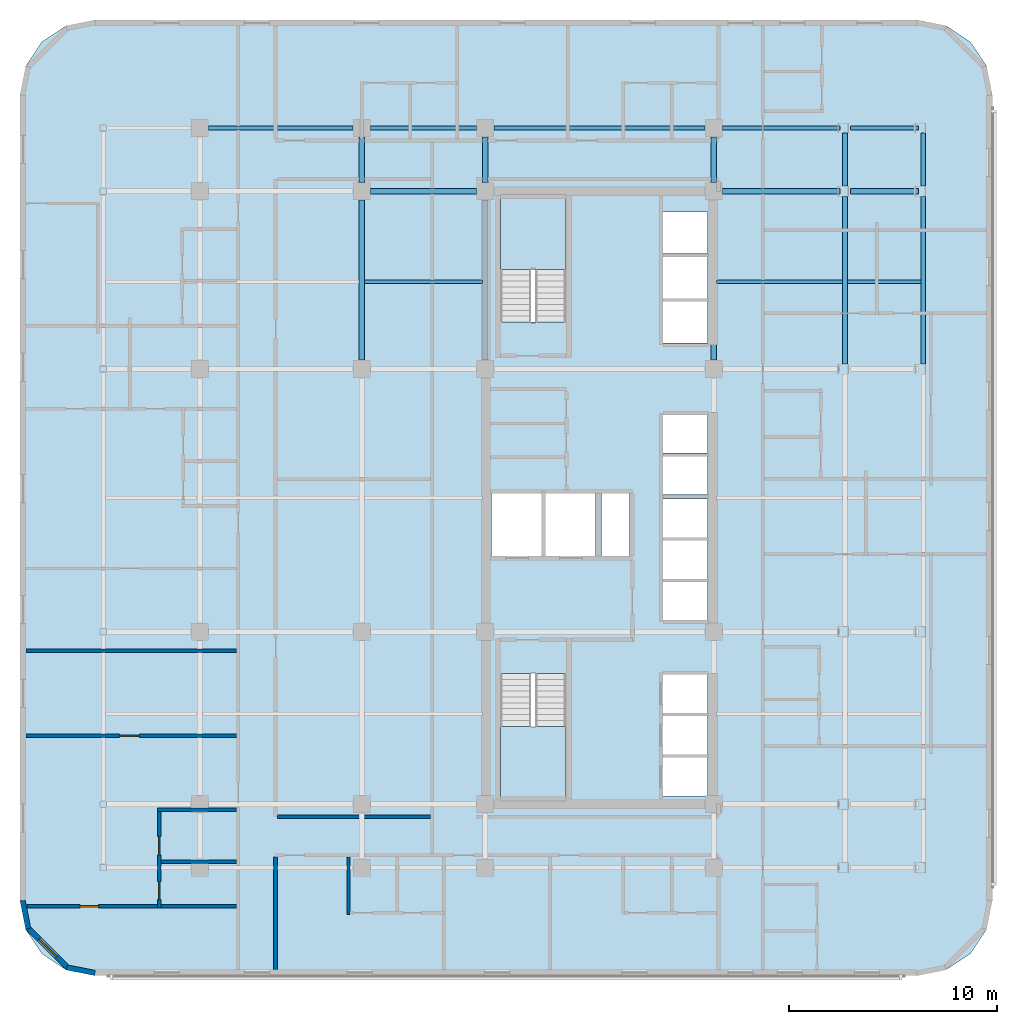
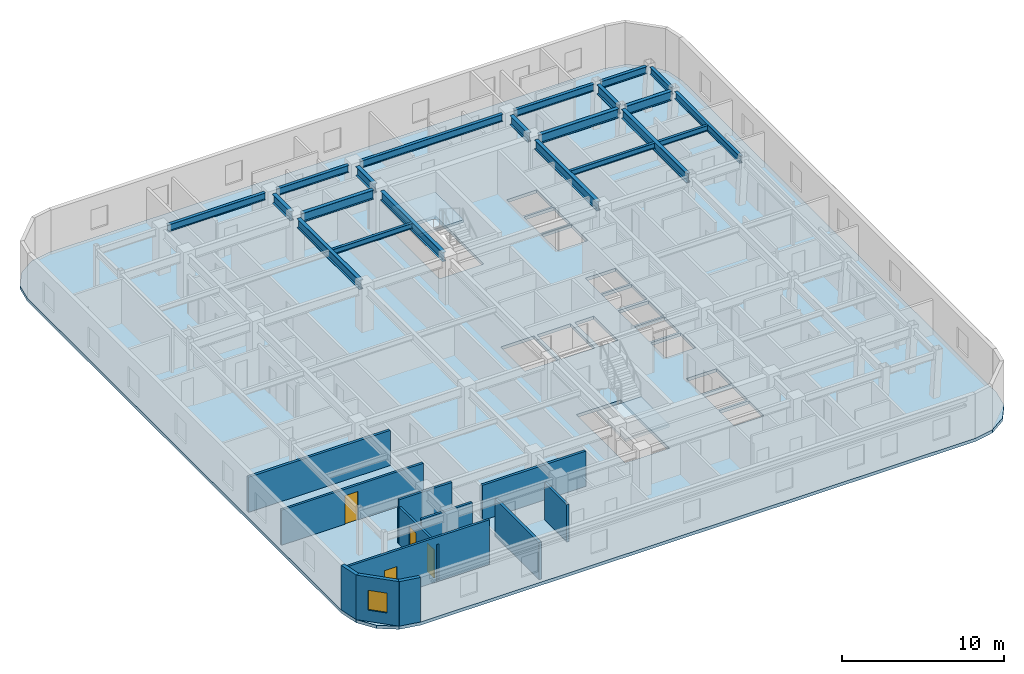
# One storey, part 5 of 14: 21 beams, 12 walls, 4 doors, 3 slabs, 1 window, 5 openings, 2 elements without a shape of their own.
"""IFC4 building model written with IfcOpenShell, lengths in metres."""

from ifc_helpers import new_model, si_unit, direction, frame, frame_2d, origin, origin_2d, place, context, subcontext, project, spatial, polyline, rectangle, i_section, outline, extrude, material, layer, layer_set, material_profile, profile_set, type_object, element, fill, aggregate, save


model = new_model("IFC4")

# Units and contexts
model_context = context("Model", 3, precision=1e-05, world=origin(), true_north=direction((0.0, 1.0)))
body_context = subcontext(model_context, "Body", "Model", "MODEL_VIEW")
ifc_project = project(units=[si_unit("LENGTHUNIT", "METRE"), si_unit("AREAUNIT", "SQUARE_METRE"), si_unit("VOLUMEUNIT", "CUBIC_METRE"), si_unit("PLANEANGLEUNIT", "RADIAN"), si_unit("MASSUNIT", "GRAM", prefix="KILO")], contexts=[model_context])

# Site, building, storey
site_placement = place(None, origin())
site = spatial("IfcSite", under=ifc_project, at=site_placement, CompositionType="ELEMENT")
building_placement = place(site_placement, origin())
building = spatial("IfcBuilding", under=site, at=building_placement, Name="Ochreholt Gables", CompositionType="ELEMENT")
storey_placement = place(building_placement, frame((0.0, 0.0, 42.0)))
storey = spatial("IfcBuildingStorey", under=building, at=storey_placement, Name="L10", CompositionType="ELEMENT", Elevation=42.0)

# Beams
ifc_material_1 = material(Name="Steel CSA G40.21 350W", Category="steel")
ifc_material_profile_1 = material_profile(ifc_material_1, i_section(OverallWidth=0.256103515625, OverallDepth=0.693115234375, WebThickness=0.014404296875, FlangeThickness=0.023681640625, at=origin_2d()), Name="W690X170")
ifc_profile_set_1 = profile_set([ifc_material_profile_1], Name="Steel CSA G40.21 350W")
beam_type_1 = type_object("IfcBeamType", Name="BM-G-W690", PredefinedType="BEAM", material=ifc_profile_set_1)
beam_1_placement = place(storey_placement, frame((18.674560546875, 38.75, 3.013427734375), z_axis=(1.0, 0.0, 0.0), x_axis=(0.0, 1.0, 0.0)))
element("IfcBeam", 1, at=beam_1_placement, inside=storey, type_object=beam_type_1, Name="L10 Beam TBG-L10-W3C1-Y5", PredefinedType="BEAM", context=body_context, shape_type="SweptSolid", body=[
    extrude(i_section(OverallWidth=0.256103515625, OverallDepth=0.693115234375, WebThickness=0.014404296875, FlangeThickness=0.023681640625, at=origin_2d()), origin(), (0.0, 0.0, 1.0), 5.100830078125),
])
beam_2_placement = place(storey_placement, frame((35.62451171875, 38.75, 3.013427734375), z_axis=(1.0, 0.0, 0.0), x_axis=(0.0, 1.0, 0.0)))
element("IfcBeam", 2, at=beam_2_placement, inside=storey, type_object=beam_type_1, Name="L10 Beam TBG-L10-C2EM-Y5", PredefinedType="BEAM", context=body_context, shape_type="SweptSolid", body=[
    extrude(i_section(OverallWidth=0.256103515625, OverallDepth=0.693115234375, WebThickness=0.014404296875, FlangeThickness=0.023681640625, at=origin_2d()), origin(), (0.0, 0.0, 1.0), 5.657958984375),
])
beam_3_placement = place(storey_placement, frame((41.781494140625, 38.75, 3.013427734375), z_axis=(1.0, 0.0, 0.0), x_axis=(0.0, 1.0, 0.0)))
element("IfcBeam", 3, at=beam_3_placement, inside=storey, type_object=beam_type_1, Name="L10 Beam TBG-L10-EMEE-Y5", PredefinedType="BEAM", context=body_context, shape_type="SweptSolid", body=[
    extrude(i_section(OverallWidth=0.256103515625, OverallDepth=0.693115234375, WebThickness=0.014404296875, FlangeThickness=0.023681640625, at=origin_2d()), origin(), (0.0, 0.0, 1.0), 3.2705078125),
])
beam_4_placement = place(storey_placement, frame((18.25, 30.62451171875, 3.013427734375), z_axis=(0.0, 1.0, 0.0), x_axis=(-1.0, 0.0, 0.0)))
element("IfcBeam", 4, at=beam_4_placement, inside=storey, type_object=beam_type_1, Name="L10 Beam TBN-L10-W3-Y4Y5", PredefinedType="BEAM", context=body_context, shape_type="SweptSolid", body=[
    extrude(i_section(OverallWidth=0.256103515625, OverallDepth=0.693115234375, WebThickness=0.014404296875, FlangeThickness=0.023681640625, at=origin_2d()), origin(), (0.0, 0.0, 1.0), 7.700927734375),
])
beam_5_placement = place(storey_placement, frame((18.25, 39.174560546875, 3.013427734375), z_axis=(0.0, 1.0, 0.0), x_axis=(-1.0, 0.0, 0.0)))
element("IfcBeam", 5, at=beam_5_placement, inside=storey, type_object=beam_type_1, Name="L10 Beam TBN-L10-W3-Y5Y6", PredefinedType="BEAM", context=body_context, shape_type="SweptSolid", body=[
    extrude(i_section(OverallWidth=0.256103515625, OverallDepth=0.693115234375, WebThickness=0.014404296875, FlangeThickness=0.023681640625, at=origin_2d()), origin(), (0.0, 0.0, 1.0), 2.200927734375),
])
beam_6_placement = place(storey_placement, frame((24.199951171875, 30.62451171875, 3.013427734375), z_axis=(0.0, 1.0, 0.0), x_axis=(-1.0, 0.0, 0.0)))
element("IfcBeam", 6, at=beam_6_placement, inside=storey, type_object=beam_type_1, Name="L10 Beam TBN-L10-C1-Y4Y5", PredefinedType="BEAM", context=body_context, shape_type="SweptSolid", body=[
    extrude(i_section(OverallWidth=0.256103515625, OverallDepth=0.693115234375, WebThickness=0.014404296875, FlangeThickness=0.023681640625, at=origin_2d()), origin(), (0.0, 0.0, 1.0), 7.700927734375),
])
beam_7_placement = place(storey_placement, frame((24.199951171875, 39.174560546875, 3.013427734375), z_axis=(0.0, 1.0, 0.0), x_axis=(-1.0, 0.0, 0.0)))
element("IfcBeam", 7, at=beam_7_placement, inside=storey, type_object=beam_type_1, Name="L10 Beam TBN-L10-C1-Y5Y6", PredefinedType="BEAM", context=body_context, shape_type="SweptSolid", body=[
    extrude(i_section(OverallWidth=0.256103515625, OverallDepth=0.693115234375, WebThickness=0.014404296875, FlangeThickness=0.023681640625, at=origin_2d()), origin(), (0.0, 0.0, 1.0), 2.200927734375),
])
beam_8_placement = place(storey_placement, frame((35.199951171875, 30.62451171875, 3.013427734375), z_axis=(0.0, 1.0, 0.0), x_axis=(-1.0, 0.0, 0.0)))
element("IfcBeam", 8, at=beam_8_placement, inside=storey, type_object=beam_type_1, Name="L10 Beam TBN-L10-C2-Y4Y5", PredefinedType="BEAM", context=body_context, shape_type="SweptSolid", body=[
    extrude(i_section(OverallWidth=0.256103515625, OverallDepth=0.693115234375, WebThickness=0.014404296875, FlangeThickness=0.023681640625, at=origin_2d()), origin(), (0.0, 0.0, 1.0), 7.700927734375),
])
beam_9_placement = place(storey_placement, frame((35.199951171875, 39.174560546875, 3.013427734375), z_axis=(0.0, 1.0, 0.0), x_axis=(-1.0, 0.0, 0.0)))
element("IfcBeam", 9, at=beam_9_placement, inside=storey, type_object=beam_type_1, Name="L10 Beam TBN-L10-C2-Y5Y6", PredefinedType="BEAM", context=body_context, shape_type="SweptSolid", body=[
    extrude(i_section(OverallWidth=0.256103515625, OverallDepth=0.693115234375, WebThickness=0.014404296875, FlangeThickness=0.023681640625, at=origin_2d()), origin(), (0.0, 0.0, 1.0), 2.200927734375),
])
beam_10_placement = place(storey_placement, frame((41.514892578125, 30.44970703125, 3.013427734375), z_axis=(0.0, 1.0, 0.0), x_axis=(-1.0, 0.0, 0.0)))
element("IfcBeam", 10, at=beam_10_placement, inside=storey, type_object=beam_type_1, Name="L10 Beam TBN-L10-EM-Y4Y5", PredefinedType="BEAM", context=body_context, shape_type="SweptSolid", body=[
    extrude(i_section(OverallWidth=0.256103515625, OverallDepth=0.693115234375, WebThickness=0.014404296875, FlangeThickness=0.023681640625, at=origin_2d()), origin(), (0.0, 0.0, 1.0), 8.05078125),
])
beam_11_placement = place(storey_placement, frame((41.514892578125, 38.99951171875, 3.013427734375), z_axis=(0.0, 1.0, 0.0), x_axis=(-1.0, 0.0, 0.0)))
element("IfcBeam", 11, at=beam_11_placement, inside=storey, type_object=beam_type_1, Name="L10 Beam TBN-L10-EM-Y5Y6", PredefinedType="BEAM", context=body_context, shape_type="SweptSolid", body=[
    extrude(i_section(OverallWidth=0.256103515625, OverallDepth=0.693115234375, WebThickness=0.014404296875, FlangeThickness=0.023681640625, at=origin_2d()), origin(), (0.0, 0.0, 1.0), 2.55078125),
])
ifc_material_profile_2 = material_profile(ifc_material_1, i_section(OverallWidth=0.178955078125, OverallDepth=0.409912109375, WebThickness=0.0087890625, FlangeThickness=0.014404296875, at=origin_2d()), Name="W410X67")
ifc_profile_set_2 = profile_set([ifc_material_profile_2], Name="Steel CSA G40.21 350W")
beam_type_2 = type_object("IfcBeamType", Name="BM-J-W410", PredefinedType="JOIST", material=ifc_profile_set_2)
beam_12_placement = place(storey_placement, frame((18.377685546875, 34.39990234375, 3.155029296875), z_axis=(1.0, 0.0, 0.0), x_axis=(0.0, 1.0, 0.0)))
element("IfcBeam", 12, at=beam_12_placement, inside=storey, type_object=beam_type_2, Name="L10 Beam TBJ-L10-J3-W3C1", PredefinedType="JOIST", context=body_context, shape_type="SweptSolid", body=[
    extrude(i_section(OverallWidth=0.178955078125, OverallDepth=0.409912109375, WebThickness=0.0087890625, FlangeThickness=0.014404296875, at=origin_2d()), origin(), (0.0, 0.0, 1.0), 5.69482421875),
])
beam_13_placement = place(storey_placement, frame((35.32763671875, 34.39990234375, 3.155029296875), z_axis=(1.0, 0.0, 0.0), x_axis=(0.0, 1.0, 0.0)))
element("IfcBeam", 13, at=beam_13_placement, inside=storey, type_object=beam_type_2, Name="L10 Beam TBJ-L10-J3-C2EM", PredefinedType="JOIST", context=body_context, shape_type="SweptSolid", body=[
    extrude(i_section(OverallWidth=0.178955078125, OverallDepth=0.409912109375, WebThickness=0.0087890625, FlangeThickness=0.014404296875, at=origin_2d()), origin(), (0.0, 0.0, 1.0), 6.0595703125),
])
beam_14_placement = place(storey_placement, frame((41.642333984375, 34.39990234375, 3.155029296875), z_axis=(1.0, 0.0, 0.0), x_axis=(0.0, 1.0, 0.0)))
element("IfcBeam", 14, at=beam_14_placement, inside=storey, type_object=beam_type_2, Name="L10 Beam TBJ-L10-J3-EMEE", PredefinedType="JOIST", context=body_context, shape_type="SweptSolid", body=[
    extrude(i_section(OverallWidth=0.178955078125, OverallDepth=0.409912109375, WebThickness=0.0087890625, FlangeThickness=0.014404296875, at=origin_2d()), origin(), (0.0, 0.0, 1.0), 3.52685546875),
])
ifc_material_profile_3 = material_profile(ifc_material_1, i_section(OverallWidth=0.208984375, OverallDepth=0.532958984375, WebThickness=0.01025390625, FlangeThickness=0.015625, at=origin_2d()), Name="W530X92")
ifc_profile_set_3 = profile_set([ifc_material_profile_3], Name="Steel CSA G40.21 350W")
beam_type_3 = type_object("IfcBeamType", Name="BM-SP-W530B", PredefinedType="SPANDREL", material=ifc_profile_set_3)
beam_15_placement = place(storey_placement, frame((10.87451171875, 41.800048828125, 3.093505859375), z_axis=(1.0, 0.0, 0.0), x_axis=(0.0, 1.0, 0.0)))
element("IfcBeam", 15, at=beam_15_placement, inside=storey, type_object=beam_type_3, Name="L10 Beam TBG-L10-W2W3-Y6", PredefinedType="SPANDREL", context=body_context, shape_type="SweptSolid", body=[
    extrude(i_section(OverallWidth=0.208984375, OverallDepth=0.532958984375, WebThickness=0.01025390625, FlangeThickness=0.015625, at=origin_2d()), origin(), (0.0, 0.0, 1.0), 6.950927734375),
])
beam_16_placement = place(storey_placement, frame((18.674560546875, 41.800048828125, 3.093505859375), z_axis=(1.0, 0.0, 0.0), x_axis=(0.0, 1.0, 0.0)))
element("IfcBeam", 16, at=beam_16_placement, inside=storey, type_object=beam_type_3, Name="L10 Beam TBG-L10-W3C1-Y6", PredefinedType="SPANDREL", context=body_context, shape_type="SweptSolid", body=[
    extrude(i_section(OverallWidth=0.208984375, OverallDepth=0.532958984375, WebThickness=0.01025390625, FlangeThickness=0.015625, at=origin_2d()), origin(), (0.0, 0.0, 1.0), 5.100830078125),
])
beam_17_placement = place(storey_placement, frame((24.62451171875, 41.800048828125, 3.093505859375), z_axis=(1.0, 0.0, 0.0), x_axis=(0.0, 1.0, 0.0)))
element("IfcBeam", 17, at=beam_17_placement, inside=storey, type_object=beam_type_3, Name="L10 Beam TBG-L10-C1C2-Y6", PredefinedType="SPANDREL", context=body_context, shape_type="SweptSolid", body=[
    extrude(i_section(OverallWidth=0.208984375, OverallDepth=0.532958984375, WebThickness=0.01025390625, FlangeThickness=0.015625, at=origin_2d()), origin(), (0.0, 0.0, 1.0), 10.15087890625),
])
beam_18_placement = place(storey_placement, frame((35.62451171875, 41.800048828125, 3.093505859375), z_axis=(1.0, 0.0, 0.0), x_axis=(0.0, 1.0, 0.0)))
element("IfcBeam", 18, at=beam_18_placement, inside=storey, type_object=beam_type_3, Name="L10 Beam TBG-L10-C2EM-Y6", PredefinedType="SPANDREL", context=body_context, shape_type="SweptSolid", body=[
    extrude(i_section(OverallWidth=0.208984375, OverallDepth=0.532958984375, WebThickness=0.01025390625, FlangeThickness=0.015625, at=origin_2d()), origin(), (0.0, 0.0, 1.0), 5.657958984375),
])
beam_19_placement = place(storey_placement, frame((41.781494140625, 41.800048828125, 3.093505859375), z_axis=(1.0, 0.0, 0.0), x_axis=(0.0, 1.0, 0.0)))
element("IfcBeam", 19, at=beam_19_placement, inside=storey, type_object=beam_type_3, Name="L10 Beam TBG-L10-EMEE-Y6", PredefinedType="SPANDREL", context=body_context, shape_type="SweptSolid", body=[
    extrude(i_section(OverallWidth=0.208984375, OverallDepth=0.532958984375, WebThickness=0.01025390625, FlangeThickness=0.015625, at=origin_2d()), origin(), (0.0, 0.0, 1.0), 3.2705078125),
])
beam_20_placement = place(storey_placement, frame((45.273193359375, 30.44970703125, 3.093505859375), z_axis=(0.0, 1.0, 0.0), x_axis=(-1.0, 0.0, 0.0)))
element("IfcBeam", 20, at=beam_20_placement, inside=storey, type_object=beam_type_3, Name="L10 Beam TBN-L10-EE-Y4Y5", PredefinedType="SPANDREL", context=body_context, shape_type="SweptSolid", body=[
    extrude(i_section(OverallWidth=0.208984375, OverallDepth=0.532958984375, WebThickness=0.01025390625, FlangeThickness=0.015625, at=origin_2d()), origin(), (0.0, 0.0, 1.0), 8.05078125),
])
beam_21_placement = place(storey_placement, frame((45.273193359375, 38.99951171875, 3.093505859375), z_axis=(0.0, 1.0, 0.0), x_axis=(-1.0, 0.0, 0.0)))
element("IfcBeam", 21, at=beam_21_placement, inside=storey, type_object=beam_type_3, Name="L10 Beam TBN-L10-EE-Y5Y6", PredefinedType="SPANDREL", context=body_context, shape_type="SweptSolid", body=[
    extrude(i_section(OverallWidth=0.208984375, OverallDepth=0.532958984375, WebThickness=0.01025390625, FlangeThickness=0.015625, at=origin_2d()), origin(), (0.0, 0.0, 1.0), 2.55078125),
])

# Stair, slab
ifc_material_2 = material(Name="Concrete 40 MPa", Category="concrete")
stair_type_1 = type_object("IfcStairType", Name="STAIR-CORE-ST-1", PredefinedType="HALF_TURN_STAIR", material=ifc_material_2)
stair_1_placement = place(storey_placement, origin())
stair_1 = element("IfcStair", 22, at=stair_1_placement, inside=storey, type_object=stair_type_1, Name="L10 Core Exit Stair 1", PredefinedType="HALF_TURN_STAIR")
ifc_layer_1 = layer(ifc_material_2, 0.199951171875, Name="Concrete 40 MPa")
ifc_layer_set_1 = layer_set([ifc_layer_1], Name="Concrete 40 MPa")
slab_type_1 = type_object("IfcSlabType", Name="LANDING-RC200", PredefinedType="LANDING", material=ifc_layer_set_1)
slab_1_placement = place(storey_placement, frame((0.0, 0.0, 1.60009765625)))
slab_1 = element("IfcSlab", 23, at=slab_1_placement, type_object=slab_type_1, Name="ST-1 landing 1", PredefinedType="LANDING", context=body_context, shape_type="SweptSolid", body=[
    extrude(outline(polyline([(24.919921875, 13.001953125), (24.919921875, 9.52001953125), (28.080078125, 9.52001953125), (28.080078125, 13.001953125), (24.919921875, 13.001953125)])), origin(), (0.0, 0.0, 1.0), 0.199951171875),
])
aggregate(stair_1, [slab_1])

stair_type_2 = type_object("IfcStairType", Name="STAIR-CORE-ST-2", PredefinedType="HALF_TURN_STAIR", material=ifc_material_2)
stair_2_placement = place(storey_placement, origin())
stair_2 = element("IfcStair", 24, at=stair_2_placement, inside=storey, type_object=stair_type_2, Name="L10 Core Exit Stair 2", PredefinedType="HALF_TURN_STAIR")
slab_2_placement = place(storey_placement, frame((0.0, 0.0, 1.60009765625)))
slab_2 = element("IfcSlab", 25, at=slab_2_placement, type_object=slab_type_1, Name="ST-2 landing 1", PredefinedType="LANDING", context=body_context, shape_type="SweptSolid", body=[
    extrude(outline(polyline([(28.080078125, 34.998046875), (28.080078125, 38.47998046875), (24.919921875, 38.47998046875), (24.919921875, 34.998046875), (28.080078125, 34.998046875)])), origin(), (0.0, 0.0, 1.0), 0.199951171875),
])
aggregate(stair_2, [slab_2])

# Slab
ifc_layer_2 = layer(ifc_material_2, 0.239990234375, Name="Concrete 40 MPa")
ifc_layer_set_2 = layer_set([ifc_layer_2], Name="Concrete 40 MPa")
slab_type_2 = type_object("IfcSlabType", Name="SLAB-TWR-240", PredefinedType="FLOOR", material=ifc_layer_set_2)
slab_3_placement = place(storey_placement, frame((0.0, 0.0, -0.239990234375)))
element("IfcSlab", 26, at=slab_3_placement, inside=storey, type_object=slab_type_2, Name="L10 Structural Floor Slab", PredefinedType="FLOOR", context=body_context, shape_type="SweptSolid", body=[
    extrude(outline(polyline([(1.800048828125, 4.60009765625), (2.073974609375, 3.222412109375), (2.8544921875, 2.054443359375), (4.022216796875, 1.27392578125), (5.39990234375, 1.0), (45.0, 1.0), (46.377685546875, 1.27392578125), (47.545654296875, 2.054443359375), (48.325927734375, 3.222412109375), (48.60009765625, 4.60009765625), (48.60009765625, 43.39990234375), (48.325927734375, 44.777587890625), (47.545654296875, 45.945556640625), (46.377685546875, 46.72607421875), (45.0, 47.0), (5.39990234375, 47.0), (4.022216796875, 46.72607421875), (2.8544921875, 45.945556640625), (2.073974609375, 44.777587890625), (1.800048828125, 43.39990234375), (1.800048828125, 4.60009765625)]), holes=[polyline([(24.919921875, 15.539306640625), (24.919921875, 9.52001953125), (28.080078125, 9.52001953125), (28.080078125, 15.539306640625), (24.919921875, 15.539306640625)]), polyline([(28.080078125, 32.460693359375), (28.080078125, 38.47998046875), (24.919921875, 38.47998046875), (24.919921875, 32.460693359375), (28.080078125, 32.460693359375)]), polyline([(24.5, 21.199951171875), (26.89990234375, 21.199951171875), (26.89990234375, 24.199951171875), (24.5, 24.199951171875), (24.5, 21.199951171875)]), polyline([(27.10009765625, 21.199951171875), (29.5, 21.199951171875), (29.5, 24.199951171875), (27.10009765625, 24.199951171875), (27.10009765625, 21.199951171875)]), polyline([(32.75, 9.64990234375), (34.89990234375, 9.64990234375), (34.89990234375, 11.5), (32.75, 11.5), (32.75, 9.64990234375)]), polyline([(32.75, 11.64990234375), (34.89990234375, 11.64990234375), (34.89990234375, 13.5), (32.75, 13.5), (32.75, 11.64990234375)]), polyline([(32.75, 13.64990234375), (34.89990234375, 13.64990234375), (34.89990234375, 15.5), (32.75, 15.5), (32.75, 13.64990234375)]), polyline([(32.75, 18.10009765625), (34.89990234375, 18.10009765625), (34.89990234375, 19.949951171875), (32.75, 19.949951171875), (32.75, 18.10009765625)]), polyline([(32.75, 20.10009765625), (34.89990234375, 20.10009765625), (34.89990234375, 21.949951171875), (32.75, 21.949951171875), (32.75, 20.10009765625)]), polyline([(32.75, 22.10009765625), (34.89990234375, 22.10009765625), (34.89990234375, 23.949951171875), (32.75, 23.949951171875), (32.75, 22.10009765625)]), polyline([(32.75, 24.14990234375), (34.89990234375, 24.14990234375), (34.89990234375, 26.0), (32.75, 26.0), (32.75, 24.14990234375)]), polyline([(32.75, 26.14990234375), (34.89990234375, 26.14990234375), (34.89990234375, 28.0), (32.75, 28.0), (32.75, 26.14990234375)]), polyline([(32.75, 31.449951171875), (34.89990234375, 31.449951171875), (34.89990234375, 33.449951171875), (32.75, 33.449951171875), (32.75, 31.449951171875)]), polyline([(32.75, 33.60009765625), (34.89990234375, 33.60009765625), (34.89990234375, 35.60009765625), (32.75, 35.60009765625), (32.75, 33.60009765625)]), polyline([(32.75, 35.75), (34.89990234375, 35.75), (34.89990234375, 37.75), (32.75, 37.75), (32.75, 35.75)]), polyline([(29.800048828125, 21.199951171875), (31.14990234375, 21.199951171875), (31.14990234375, 24.199951171875), (29.800048828125, 24.199951171875), (29.800048828125, 21.199951171875)])]), origin(), (0.0, 0.0, 1.0), 0.239990234375),
])

# Wall
ifc_material_3 = material(Name="Precast concrete 40 MPa", Category="concrete")
ifc_layer_3 = layer(ifc_material_3, 0.25, Name="Precast concrete 40 MPa")
ifc_layer_set_3 = layer_set([ifc_layer_3], Name="Precast concrete 40 MPa")
wall_type_1 = type_object("IfcWallType", Name="WALL-EXT-CNR", PredefinedType="SOLIDWALL", material=ifc_layer_set_3)
wall_1_placement = place(storey_placement, frame((1.92431640625, 4.616455078125, 0.0), z_axis=(0.0, 0.0, 1.0), x_axis=(0.19496651342, -0.980809899341, 0.0)))
element("IfcWall", 27, at=wall_1_placement, inside=storey, type_object=wall_type_1, Name="L10 Rounded Corner Wall SW-1", PredefinedType="SOLIDWALL", context=body_context, shape_type="SweptSolid", body=[
    extrude(rectangle(XDim=1.388671875, YDim=0.25, at=frame_2d((0.6943359375, 0.0))), origin(), (0.0, 0.0, 1.0), 3.360107421875),
])

# Wall, opening, window
wall_2_placement = place(storey_placement, frame((2.16796875, 3.304931640625, 0.0), z_axis=(0.0, 0.0, 1.0), x_axis=(0.707106781187, -0.707106781187, 0.0)))
wall_2 = element("IfcWall", 28, at=wall_2_placement, inside=storey, type_object=wall_type_1, Name="L10 Rounded Corner Wall SW-2", PredefinedType="SOLIDWALL", context=body_context, shape_type="SweptSolid", body=[
    extrude(rectangle(XDim=2.7392578125, YDim=0.25, at=frame_2d((1.36962890625, 0.0))), origin(), (0.0, 0.0, 1.0), 3.360107421875),
])
opening_1_placement = place(wall_2_placement, frame((0.769775390625, 0.0, 0.85009765625)))
opening_1 = element("IfcOpeningElement", 29, at=opening_1_placement, cuts=wall_2, Name="Opening WN-3", PredefinedType="OPENING", context=body_context, shape_type="SweptSolid", body=[
    extrude(rectangle(XDim=1.199951171875, YDim=1.5, at=frame_2d((0.60009765625, 0.75))), frame((0.0, 0.135009765625, 0.0), z_axis=(0.0, -1.0, 0.0), x_axis=(1.0, 0.0, 0.0)), (0.0, 0.0, 1.0), 0.27001953125),
])
ifc_material_4 = material(Name="Triple-Glazed Thermally Broken Aluminium Window", Category="aluminium")
window_type = type_object("IfcWindowType", Name="WIN-RES-1200", PartitioningType="SINGLE_PANEL", PredefinedType="WINDOW", material=ifc_material_4)
window_placement = place(opening_1_placement, origin())
window = element("IfcWindow", 30, at=window_placement, inside=storey, type_object=window_type, Name="L10 Corner Bedroom Window SW", OverallHeight=1.5, OverallWidth=1.199951171875, PartitioningType="SINGLE_PANEL", PredefinedType="WINDOW", context=body_context, shape_type="SweptSolid", body=[
    extrude(rectangle(XDim=1.199951171875, YDim=1.5, at=frame_2d((0.60009765625, 0.75))), frame((0.0, 0.030029296875, 0.0), z_axis=(0.0, -1.0, 0.0), x_axis=(1.0, 0.0, 0.0)), (0.0, 0.0, 1.0), 0.06005859375),
])
fill(opening_1, window)

# Walls
wall_3_placement = place(storey_placement, frame((4.054443359375, 1.39501953125, 0.0), z_axis=(0.0, 0.0, 1.0), x_axis=(0.980809899341, -0.19496651342, 0.0)))
element("IfcWall", 31, at=wall_3_placement, inside=storey, type_object=wall_type_1, Name="L10 Rounded Corner Wall SW-3", PredefinedType="SOLIDWALL", context=body_context, shape_type="SweptSolid", body=[
    extrude(rectangle(XDim=1.388671875, YDim=0.25, at=frame_2d((0.6943359375, 0.0))), origin(), (0.0, 0.0, 1.0), 3.360107421875),
])
ifc_material_5 = material(Name="Fire-Rated Gypsum Acoustic Partition", Category="gypsum")
ifc_layer_4 = layer(ifc_material_5, 0.179931640625, Name="Fire-Rated Gypsum Acoustic Partition")
ifc_layer_set_4 = layer_set([ifc_layer_4], Name="Fire-Rated Gypsum Acoustic Partition")
wall_type_2 = type_object("IfcWallType", Name="WALL-INT-CR180", PredefinedType="STANDARD", material=ifc_layer_set_4)
wall_4_placement = place(storey_placement, frame((14.18994140625, 8.64990234375, 0.0), z_axis=(0.0, 0.0, 1.0), x_axis=(1.0, 0.0, 0.0)))
element("IfcWall", 32, at=wall_4_placement, inside=storey, type_object=wall_type_2, Name="L10 Interior Wall WI-C1S2W-L10", PredefinedType="STANDARD", context=body_context, shape_type="SweptSolid", body=[
    extrude(rectangle(XDim=7.3701171875, YDim=0.179931640625, at=frame_2d((3.68505859375, 0.0))), origin(), (0.0, 0.0, 1.0), 2.64892578125),
])
ifc_material_6 = material(Name="Double-Stud Acoustic Demising Wall", Category="gypsum")
ifc_layer_5 = layer(ifc_material_6, 0.179931640625, Name="Double-Stud Acoustic Demising Wall")
ifc_layer_set_5 = layer_set([ifc_layer_5], Name="Double-Stud Acoustic Demising Wall")
wall_type_3 = type_object("IfcWallType", Name="WALL-INT-DM180", PredefinedType="PARTITIONING", material=ifc_layer_set_5)
wall_5_placement = place(storey_placement, frame((14.10009765625, 1.2900390625, 0.0), z_axis=(0.0, 0.0, 1.0), x_axis=(0.0, 1.0, 0.0)))
element("IfcWall", 33, at=wall_5_placement, inside=storey, type_object=wall_type_3, Name="L10 Interior Wall WI-C1WSI-L10", PredefinedType="PARTITIONING", context=body_context, shape_type="SweptSolid", body=[
    extrude(rectangle(XDim=5.419921875, YDim=0.179931640625, at=frame_2d((2.7099609375, 0.0))), origin(), (0.0, 0.0, 1.0), 2.80908203125),
])
wall_6_placement = place(storey_placement, frame((2.090087890625, 16.639892578125, 0.0), z_axis=(0.0, 0.0, 1.0), x_axis=(1.0, 0.0, 0.0)))
element("IfcWall", 34, at=wall_6_placement, inside=storey, type_object=wall_type_3, Name="L10 Interior Wall WI-UDW2-L10", PredefinedType="PARTITIONING", context=body_context, shape_type="SweptSolid", body=[
    extrude(rectangle(XDim=10.119873046875, YDim=0.179931640625, at=frame_2d((5.06005859375, 0.0))), origin(), (0.0, 0.0, 1.0), 2.64892578125),
])
ifc_material_7 = material(Name="Moisture-Resistant Plumbing Chase Wall", Category="gypsum")
ifc_layer_6 = layer(ifc_material_7, 0.159912109375, Name="Moisture-Resistant Plumbing Chase Wall")
ifc_layer_set_6 = layer_set([ifc_layer_6], Name="Moisture-Resistant Plumbing Chase Wall")
wall_type_4 = type_object("IfcWallType", Name="WALL-INT-PL160", PredefinedType="PLUMBINGWALL", material=ifc_layer_set_6)
wall_7_placement = place(storey_placement, frame((8.429931640625, 8.989990234375, 0.0), z_axis=(0.0, 0.0, 1.0), x_axis=(1.0, 0.0, 0.0)))
element("IfcWall", 35, at=wall_7_placement, inside=storey, type_object=wall_type_4, Name="L10 Interior Wall WU-L10W1-FYN", PredefinedType="PLUMBINGWALL", context=body_context, shape_type="SweptSolid", body=[
    extrude(rectangle(XDim=3.780029296875, YDim=0.159912109375, at=frame_2d((1.89013671875, 0.0))), origin(), (0.0, 0.0, 1.0), 3.360107421875),
])

# Wall, openings, doors
wall_8_placement = place(storey_placement, frame((8.510009765625, 4.25, 0.0), z_axis=(0.0, 0.0, 1.0), x_axis=(0.0, 1.0, 0.0)))
wall_8 = element("IfcWall", 36, at=wall_8_placement, inside=storey, type_object=wall_type_4, Name="L10 Interior Wall WU-L10W1-WX", PredefinedType="PLUMBINGWALL", context=body_context, shape_type="SweptSolid", body=[
    extrude(rectangle(XDim=4.830078125, YDim=0.159912109375, at=frame_2d((2.4150390625, 0.0))), origin(), (0.0, 0.0, 1.0), 2.80908203125),
])
opening_2_placement = place(wall_8_placement, frame((0.419921875, 0.0, 0.0)))
opening_2 = element("IfcOpeningElement", 37, at=opening_2_placement, cuts=wall_8, Name="Opening D-BT1", PredefinedType="OPENING", context=body_context, shape_type="SweptSolid", body=[
    extrude(rectangle(XDim=0.860107421875, YDim=2.1201171875, at=frame_2d((0.43017578125, 1.06005859375))), frame((0.0, 0.08984375, 0.0), z_axis=(0.0, -1.0, 0.0), x_axis=(1.0, 0.0, 0.0)), (0.0, 0.0, 1.0), 0.179931640625),
])
opening_3_placement = place(wall_8_placement, frame((2.55908203125, 0.0, 0.0)))
opening_3 = element("IfcOpeningElement", 38, at=opening_3_placement, cuts=wall_8, Name="Opening D-GN2", PredefinedType="OPENING", context=body_context, shape_type="SweptSolid", body=[
    extrude(rectangle(XDim=0.8798828125, YDim=2.1201171875, at=frame_2d((0.43994140625, 1.06005859375))), frame((0.0, 0.08984375, 0.0), z_axis=(0.0, -1.0, 0.0), x_axis=(1.0, 0.0, 0.0)), (0.0, 0.0, 1.0), 0.179931640625),
])
ifc_material_8 = material(Name="Engineered Oak Timber", Category="wood")
door_type_1 = type_object("IfcDoorType", Name="DR-INT-BTH860", OperationType="NOTDEFINED", PredefinedType="DOOR", material=ifc_material_8)
door_1_placement = place(opening_2_placement, origin())
door_1 = element("IfcDoor", 39, at=door_1_placement, inside=storey, type_object=door_type_1, Name="L10 Door D-U-L10W1-BTH", OperationType="SINGLE_SWING_LEFT", OverallHeight=2.1201171875, OverallWidth=0.860107421875, PredefinedType="DOOR", context=body_context, shape_type="SweptSolid", body=[
    extrude(rectangle(XDim=0.860107421875, YDim=2.1201171875, at=frame_2d((0.43017578125, 1.06005859375))), frame((0.0, 0.02490234375, 0.0), z_axis=(0.0, -1.0, 0.0), x_axis=(1.0, 0.0, 0.0)), (0.0, 0.0, 1.0), 0.050048828125),
])
fill(opening_2, door_1)
door_type_2 = type_object("IfcDoorType", Name="DR-INT-GEN880", OperationType="NOTDEFINED", PredefinedType="DOOR", material=ifc_material_8)
door_2_placement = place(opening_3_placement, origin())
door_2 = element("IfcDoor", 40, at=door_2_placement, inside=storey, type_object=door_type_2, Name="L10 Door D-U-L10W1-KIT", OperationType="SINGLE_SWING_RIGHT", OverallHeight=2.1201171875, OverallWidth=0.8798828125, PredefinedType="DOOR", context=body_context, shape_type="SweptSolid", body=[
    extrude(rectangle(XDim=0.8798828125, YDim=2.1201171875, at=frame_2d((0.43994140625, 1.06005859375))), frame((0.0, 0.02490234375, 0.0), z_axis=(0.0, -1.0, 0.0), x_axis=(1.0, 0.0, 0.0)), (0.0, 0.0, 1.0), 0.050048828125),
])
fill(opening_3, door_2)

# Walls
wall_9_placement = place(storey_placement, frame((8.590087890625, 6.47900390625, 0.0), z_axis=(0.0, 0.0, 1.0), x_axis=(1.0, 0.0, 0.0)))
element("IfcWall", 41, at=wall_9_placement, inside=storey, type_object=wall_type_4, Name="L10 Interior Wall WU-L10W1-WK", PredefinedType="PLUMBINGWALL", context=body_context, shape_type="SweptSolid", body=[
    extrude(rectangle(XDim=3.619873046875, YDim=0.159912109375, at=frame_2d((1.81005859375, 0.0))), origin(), (0.0, 0.0, 1.0), 3.360107421875),
])
wall_10_placement = place(storey_placement, frame((17.611572265625, 3.949951171875, 0.0), z_axis=(0.0, 0.0, 1.0), x_axis=(0.0, 1.0, 0.0)))
element("IfcWall", 42, at=wall_10_placement, inside=storey, type_object=wall_type_4, Name="L10 Interior Wall WU-L10S1-FY", PredefinedType="PLUMBINGWALL", context=body_context, shape_type="SweptSolid", body=[
    extrude(rectangle(XDim=2.760009765625, YDim=0.159912109375, at=frame_2d((1.3798828125, 0.0))), origin(), (0.0, 0.0, 1.0), 2.80908203125),
])

# Wall, opening, door
ifc_material_9 = material(Name="Gypsum Acoustic Stud Partition", Category="gypsum")
ifc_layer_7 = layer(ifc_material_9, 0.159912109375, Name="Gypsum Acoustic Stud Partition")
ifc_layer_set_7 = layer_set([ifc_layer_7], Name="Gypsum Acoustic Stud Partition")
wall_type_5 = type_object("IfcWallType", Name="WALL-INT-PT160", PredefinedType="PARTITIONING", material=ifc_layer_set_7)
wall_11_placement = place(storey_placement, frame((2.142333984375, 4.340087890625, 0.0), z_axis=(0.0, 0.0, 1.0), x_axis=(1.0, 0.0, 0.0)))
wall_11 = element("IfcWall", 43, at=wall_11_placement, inside=storey, type_object=wall_type_5, Name="L10 Interior Wall WU-L10W1-MN", PredefinedType="PARTITIONING", context=body_context, shape_type="SweptSolid", body=[
    extrude(rectangle(XDim=10.067626953125, YDim=0.159912109375, at=frame_2d((5.03369140625, 0.0))), origin(), (0.0, 0.0, 1.0), 3.360107421875),
])
opening_4_placement = place(wall_11_placement, frame((2.547607421875, 0.0, 0.0)))
opening_4 = element("IfcOpeningElement", 44, at=opening_4_placement, cuts=wall_11, Name="Opening D-BD1", PredefinedType="OPENING", context=body_context, shape_type="SweptSolid", body=[
    extrude(rectangle(XDim=0.89990234375, YDim=2.139892578125, at=frame_2d((0.449951171875, 1.06982421875))), frame((0.0, 0.08984375, 0.0), z_axis=(0.0, -1.0, 0.0), x_axis=(1.0, 0.0, 0.0)), (0.0, 0.0, 1.0), 0.179931640625),
])
door_type_3 = type_object("IfcDoorType", Name="DR-INT-BED900", OperationType="NOTDEFINED", PredefinedType="DOOR", material=ifc_material_8)
door_3_placement = place(opening_4_placement, origin())
door_3 = element("IfcDoor", 45, at=door_3_placement, inside=storey, type_object=door_type_3, Name="L10 Door D-U-L10W1-BD1", OperationType="SINGLE_SWING_LEFT", OverallHeight=2.139892578125, OverallWidth=0.89990234375, PredefinedType="DOOR", context=body_context, shape_type="SweptSolid", body=[
    extrude(rectangle(XDim=0.89990234375, YDim=2.139892578125, at=frame_2d((0.449951171875, 1.06982421875))), frame((0.0, 0.02490234375, 0.0), z_axis=(0.0, -1.0, 0.0), x_axis=(1.0, 0.0, 0.0)), (0.0, 0.0, 1.0), 0.050048828125),
])
fill(opening_4, door_3)

wall_12_placement = place(storey_placement, frame((2.090087890625, 12.53955078125, 0.0), z_axis=(0.0, 0.0, 1.0), x_axis=(1.0, 0.0, 0.0)))
wall_12 = element("IfcWall", 46, at=wall_12_placement, inside=storey, type_object=wall_type_5, Name="L10 Interior Wall WU-L10W1-DNW", PredefinedType="PARTITIONING", context=body_context, shape_type="SweptSolid", body=[
    extrude(rectangle(XDim=10.119873046875, YDim=0.159912109375, at=frame_2d((5.06005859375, 0.0))), origin(), (0.0, 0.0, 1.0), 2.64892578125),
])
opening_5_placement = place(wall_12_placement, frame((4.510009765625, 0.0, 0.0)))
opening_5 = element("IfcOpeningElement", 47, at=opening_5_placement, cuts=wall_12, Name="Opening D-GN1", PredefinedType="OPENING", context=body_context, shape_type="SweptSolid", body=[
    extrude(rectangle(XDim=0.949951171875, YDim=2.14990234375, at=frame_2d((0.47509765625, 1.074951171875))), frame((0.0, 0.08984375, 0.0), z_axis=(0.0, -1.0, 0.0), x_axis=(1.0, 0.0, 0.0)), (0.0, 0.0, 1.0), 0.179931640625),
])
door_type_4 = type_object("IfcDoorType", Name="DR-INT-GEN950", OperationType="NOTDEFINED", PredefinedType="DOOR", material=ifc_material_8)
door_4_placement = place(opening_5_placement, origin())
door_4 = element("IfcDoor", 48, at=door_4_placement, inside=storey, type_object=door_type_4, Name="L10 Door D-U-L10W1-DIN", OperationType="SINGLE_SWING_LEFT", OverallHeight=2.14990234375, OverallWidth=0.949951171875, PredefinedType="DOOR", context=body_context, shape_type="SweptSolid", body=[
    extrude(rectangle(XDim=0.949951171875, YDim=2.14990234375, at=frame_2d((0.47509765625, 1.074951171875))), frame((0.0, 0.02490234375, 0.0), z_axis=(0.0, -1.0, 0.0), x_axis=(1.0, 0.0, 0.0)), (0.0, 0.0, 1.0), 0.050048828125),
])
fill(opening_5, door_4)

save(model, "model.ifc")
